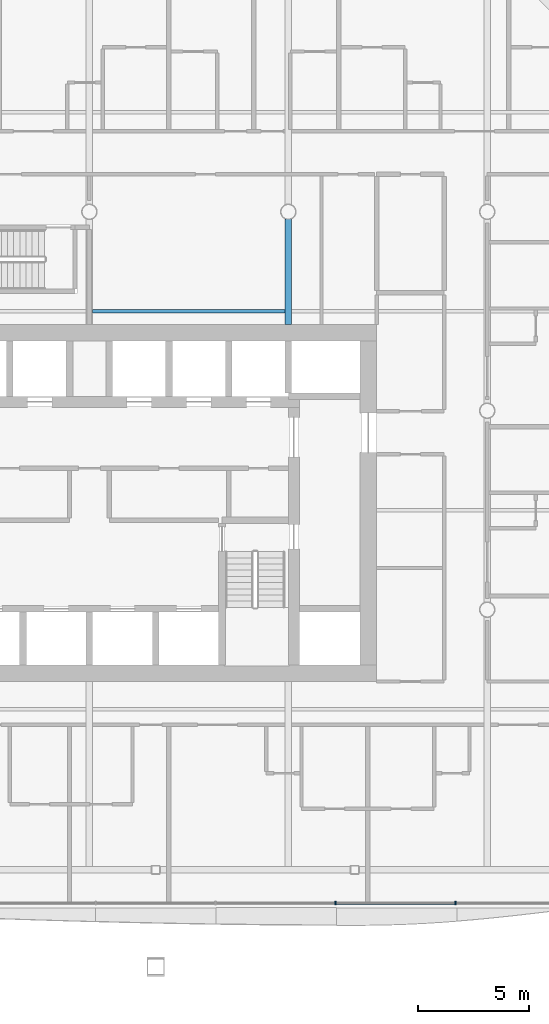
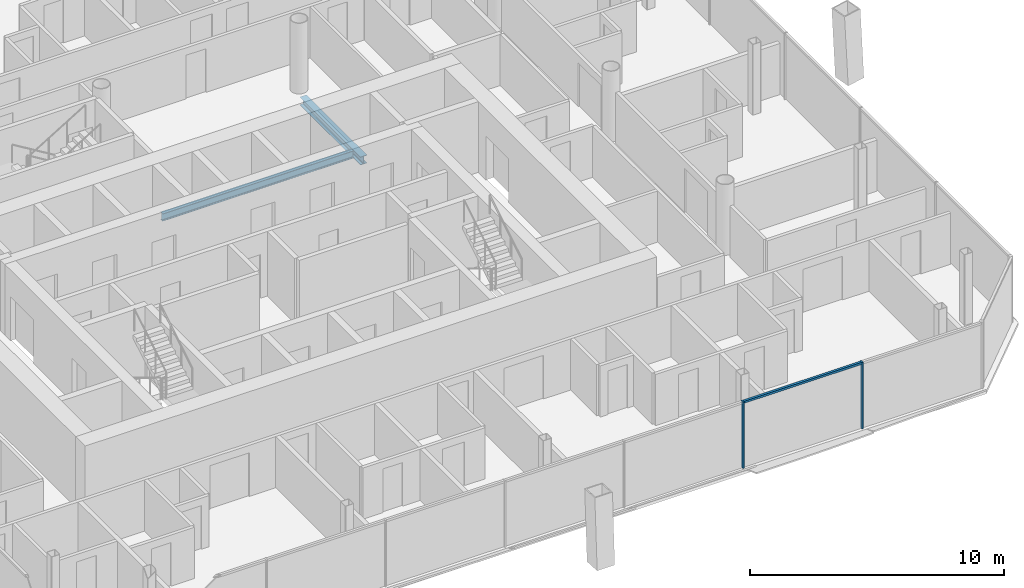
# One storey, part 6 of 18: 3 members, 2 beams, 1 element without a shape of its own.
"""IFC4 building model written with IfcOpenShell, lengths in metres."""

import ifcopenshell
import ifcopenshell.guid

model = None  # the IFC model being written
_history = None  # IfcOwnerHistory: only IFC2X3 demands one
_inside = {}  # id of a spatial element -> (the spatial element, [elements in it])
_under = {}  # id of a project, library or spatial element -> (it, [spatial elements below it])
_declared = {}  # id of a project -> (the project, [libraries it declares])
_typed = {}  # id of a type object -> (the type object, [elements of that type])
_made_of = {}  # id of a material, layer set ... -> (it, [elements and type objects made of it])


def new_model(schema):
    """Start an empty IFC model of exactly this schema.

    Asked for "IFC4X3", IfcOpenShell would pick the latest addendum, in which some entities
    have other attributes; the version numbers below select the first issue.
    IFC2X3 requires an IfcOwnerHistory on every rooted entity: one is made here for all.
    """
    global model, _history
    if schema == "IFC4X3":
        model = ifcopenshell.file(schema_version=(4, 3, 0, 0))
    else:
        model = ifcopenshell.file(schema=schema)
    _inside.clear()
    _under.clear()
    _declared.clear()
    _typed.clear()
    _made_of.clear()
    _history = None
    if model.schema == "IFC2X3":
        org = make("IfcOrganization", Name="unknown")
        user = make(
            "IfcPersonAndOrganization",
            ThePerson=make("IfcPerson", FamilyName="unknown"),
            TheOrganization=org,
        )
        app = make(
            "IfcApplication",
            ApplicationDeveloper=org,
            Version="unknown",
            ApplicationFullName="unknown",
            ApplicationIdentifier="unknown",
        )
        _history = make(
            "IfcOwnerHistory",
            OwningUser=user,
            OwningApplication=app,
            ChangeAction="ADDED",
            CreationDate=0,
        )
    return model


def make(cls, **values):
    """One entity of the class cls with the attributes given. An attribute that is None is left unset."""
    return model.create_entity(
        cls, **{name: value for name, value in values.items() if value is not None}
    )


def rooted(cls, **values):
    """An entity with a GlobalId (a new one), such as an element, a storey or a relation."""
    return make(cls, GlobalId=ifcopenshell.guid.new(), OwnerHistory=_history, **values)


def si_unit(unit_type, name, prefix=None):
    """IfcSIUnit, for example si_unit("LENGTHUNIT", "METRE", prefix="MILLI")."""
    return make("IfcSIUnit", UnitType=unit_type, Prefix=prefix, Name=name)


def assignment(units):
    """IfcUnitAssignment: the units of a project."""
    return None if units is None else make("IfcUnitAssignment", Units=units)


def point(xyz):
    """IfcCartesianPoint."""
    return None if xyz is None else make("IfcCartesianPoint", Coordinates=xyz)


def direction(xyz):
    """IfcDirection."""
    return None if xyz is None else make("IfcDirection", DirectionRatios=xyz)


def frame(location, z_axis=None, x_axis=None):
    """IfcAxis2Placement3D, a coordinate frame: its origin and axes. An axis left out is left unset."""
    return make(
        "IfcAxis2Placement3D",
        Location=point(location),
        Axis=direction(z_axis),
        RefDirection=direction(x_axis),
    )


def frame_2d(location, x_axis=None):
    """IfcAxis2Placement2D, a coordinate frame in the plane: its origin and x axis."""
    return make(
        "IfcAxis2Placement2D", Location=point(location), RefDirection=direction(x_axis)
    )


def origin():
    """The frame at (0, 0, 0) with its axes left unset."""
    return frame((0.0, 0.0, 0.0))


def origin_2d():
    """The frame at (0, 0) in the plane with its x axis left unset."""
    return frame_2d((0.0, 0.0))


def place(relative_to, where):
    """IfcLocalPlacement: puts the frame where relative to a parent placement (None: the world)."""
    return make(
        "IfcLocalPlacement", PlacementRelTo=relative_to, RelativePlacement=where
    )


def context(
    kind, dimensions, precision=None, world=None, true_north=None, identifier=None
):
    """IfcGeometricRepresentationContext, for example the 3D "Model" context."""
    return make(
        "IfcGeometricRepresentationContext",
        ContextIdentifier=identifier,
        ContextType=kind,
        CoordinateSpaceDimension=dimensions,
        Precision=precision,
        WorldCoordinateSystem=world,
        TrueNorth=true_north,
    )


def subcontext(parent, identifier, kind, view, scale=None):
    """IfcGeometricRepresentationSubContext, for example "Body" below "Model"."""
    return make(
        "IfcGeometricRepresentationSubContext",
        ContextIdentifier=identifier,
        ContextType=kind,
        ParentContext=parent,
        TargetScale=scale,
        TargetView=view,
    )


def project(units=None, contexts=None):
    """IfcProject with its units and contexts."""
    return rooted(
        "IfcProject",
        Name="project",
        RepresentationContexts=contexts,
        UnitsInContext=assignment(units),
    )


def spatial(cls, under=None, at=None, **own):
    """A site, building, storey or space (cls), placed at a placement, below another one or the project."""
    s = rooted(cls, ObjectPlacement=at, **own)
    if under is not None:
        _under.setdefault(under.id(), (under, []))[1].append(s)
    return s


def profile(cls, at=None, kind="AREA", **sizes):
    """A parametric profile (cls). Its sizes go by their IFC names, for example OverallWidth=200.0."""
    return make(cls, ProfileType=kind, Position=at, **sizes)


def rectangle(**sizes):
    """IfcRectangleProfileDef."""
    return profile("IfcRectangleProfileDef", **sizes)


def i_section(**sizes):
    """IfcIShapeProfileDef."""
    return profile("IfcIShapeProfileDef", **sizes)


def extrude(swept, where, along, depth):
    """IfcExtrudedAreaSolid: the profile swept, set in the frame where, extruded along a direction by depth."""
    return make(
        "IfcExtrudedAreaSolid",
        SweptArea=swept,
        Position=where,
        ExtrudedDirection=direction(along),
        Depth=depth,
    )


def shape(context_of_items, identifier, shape_type, items):
    """IfcShapeRepresentation: the items that make up one representation, for example the "Body"."""
    return make(
        "IfcShapeRepresentation",
        ContextOfItems=context_of_items,
        RepresentationIdentifier=identifier,
        RepresentationType=shape_type,
        Items=items,
    )


def material(Name=None, Category=None):
    """IfcMaterial."""
    return make("IfcMaterial", Name=Name, Category=Category)


def material_profile(
    of_material, cross_section, Name=None, Category=None, Priority=None
):
    """IfcMaterialProfile: a cross section and its material."""
    return make(
        "IfcMaterialProfile",
        Name=Name,
        Material=of_material,
        Profile=cross_section,
        Priority=Priority,
        Category=Category,
    )


def profile_set(profiles, Name=None, composite=None):
    """IfcMaterialProfileSet."""
    return make(
        "IfcMaterialProfileSet",
        Name=Name,
        MaterialProfiles=profiles,
        CompositeProfile=composite,
    )


def made_of(thing, what):
    """Note that an element or type object is made of a material, layer set ...; save() writes the relation."""
    if what is not None:
        _made_of.setdefault(what.id(), (what, []))[1].append(thing)
    return thing


def type_object(cls, material=None, **own):
    """A type object (cls), such as IfcWallType, which elements share."""
    return made_of(rooted(cls, **own), material)


def element(
    cls,
    number,
    at=None,
    inside=None,
    cuts=None,
    type_object=None,
    material=None,
    context=None,
    identifier="Body",
    shape_type=None,
    held_by="IfcProductDefinitionShape",
    body=None,
    shapes=None,
    **own,
):
    """One element of the class cls, such as IfcWall. Its Tag is "e" and its number.

    at: its placement. inside: the storey or other place that contains it. cuts: it is an
    opening in that element (IfcRelVoidsElement). A single representation is given by context,
    identifier, shape_type and body (its items); several are given by shapes. held_by: the class
    of the entity that holds the representations. save() writes the other relations.
    """
    e = rooted(cls, Tag="e%d" % number, ObjectPlacement=at, **own)
    if body is not None:
        shapes = [shape(context, identifier, shape_type, body)]
    if shapes is not None:
        e.Representation = make(held_by, Representations=shapes)
    if inside is not None:
        _inside.setdefault(inside.id(), (inside, []))[1].append(e)
    if cuts is not None:
        rooted(
            "IfcRelVoidsElement", RelatingBuildingElement=cuts, RelatedOpeningElement=e
        )
    if type_object is not None:
        _typed.setdefault(type_object.id(), (type_object, []))[1].append(e)
    return made_of(e, material)


def aggregate(whole, parts):
    """IfcRelAggregates: a whole, such as a stair, and the parts it consists of."""
    return rooted("IfcRelAggregates", RelatingObject=whole, RelatedObjects=parts)


def save(model, path):
    """Write the relations noted so far, then the file.

    IfcRelAggregates (storeys below a building ...), IfcRelContainedInSpatialStructure (elements
    in a storey), IfcRelDefinesByType, IfcRelAssociatesMaterial and IfcRelDeclares: one each for
    every whole, place, type object, material and project.
    """
    for whole, parts in _under.values():
        aggregate(whole, parts)
    for where, things in _inside.values():
        rooted(
            "IfcRelContainedInSpatialStructure",
            RelatedElements=things,
            RelatingStructure=where,
        )
    for kind, things in _typed.values():
        rooted("IfcRelDefinesByType", RelatedObjects=things, RelatingType=kind)
    for what, things in _made_of.values():
        rooted("IfcRelAssociatesMaterial", RelatedObjects=things, RelatingMaterial=what)
    for by, libraries in _declared.values():
        rooted("IfcRelDeclares", RelatingContext=by, RelatedDefinitions=libraries)
    model.write(path)


model = new_model("IFC4")

# Units and contexts
model_context = context("Model", 3, precision=1e-05, world=origin(), true_north=direction((0.0, 1.0)))
body_context = subcontext(model_context, "Body", "Model", "MODEL_VIEW")
ifc_project = project(units=[si_unit("LENGTHUNIT", "METRE"), si_unit("AREAUNIT", "SQUARE_METRE"), si_unit("VOLUMEUNIT", "CUBIC_METRE"), si_unit("PLANEANGLEUNIT", "RADIAN"), si_unit("MASSUNIT", "GRAM", prefix="KILO")], contexts=[model_context])

# Site, building, storey
site_placement = place(None, origin())
site = spatial("IfcSite", under=ifc_project, at=site_placement, CompositionType="ELEMENT")
building_placement = place(site_placement, origin())
building = spatial("IfcBuilding", under=site, at=building_placement, Name="Tskaro Facet Tower", CompositionType="ELEMENT")
storey_placement = place(building_placement, frame((0.0, 0.0, 145.300048828125)))
storey = spatial("IfcBuildingStorey", under=building, at=storey_placement, Name="L35", CompositionType="ELEMENT", Elevation=145.300048828125)

# Curtain wall, members
ifc_material_1 = material(Name="Bronze anodised aluminium 6063-T6", Category="aluminium")
curtain_wall_type = type_object("IfcCurtainWallType", Name="Bronze hotel curtain wall (FW2)", PredefinedType="NOTDEFINED", material=ifc_material_1)
curtain_wall_placement = place(storey_placement, origin())
curtain_wall = element("IfcCurtainWall", 1, at=curtain_wall_placement, inside=storey, type_object=curtain_wall_type, Name="FW2 south facet L35", PredefinedType="NOTDEFINED")
ifc_material_profile_1 = material_profile(ifc_material_1, rectangle(XDim=0.06005859375, YDim=0.14990234375, at=origin_2d()), Name="Mullion 60x150")
ifc_profile_set_1 = profile_set([ifc_material_profile_1], Name="Bronze anodised aluminium 6063-T6")
member_type_1 = type_object("IfcMemberType", Name="FW2 bronze mullion 60x150", PredefinedType="MULLION", material=ifc_profile_set_1)
member_1_placement = place(storey_placement, frame((11.135498046875, -22.27197265625, 0.0), z_axis=(0.0, 0.0, 1.0), x_axis=(1.0, 0.0, 0.0)))
member_1 = element("IfcMember", 2, at=member_1_placement, type_object=member_type_1, Name="FW2 south mullion 5", PredefinedType="MULLION", context=body_context, shape_type="SweptSolid", body=[
    extrude(rectangle(XDim=0.06005859375, YDim=0.14990234375, at=origin_2d()), origin(), (0.0, 0.0, 1.0), 3.199951171875),
])
member_2_placement = place(storey_placement, frame((16.559326171875, -22.27197265625, 0.0), z_axis=(0.0, 0.0, 1.0), x_axis=(1.0, 0.0, 0.0)))
member_2 = element("IfcMember", 3, at=member_2_placement, type_object=member_type_1, Name="FW2 south mullion 6", PredefinedType="MULLION", context=body_context, shape_type="SweptSolid", body=[
    extrude(rectangle(XDim=0.06005859375, YDim=0.14990234375, at=origin_2d()), origin(), (0.0, 0.0, 1.0), 3.199951171875),
])
ifc_material_profile_2 = material_profile(ifc_material_1, rectangle(XDim=0.110107421875, YDim=0.10009765625, at=origin_2d()), Name="Transom 110x100")
ifc_profile_set_2 = profile_set([ifc_material_profile_2], Name="Bronze anodised aluminium 6063-T6")
member_type_2 = type_object("IfcMemberType", Name="FW2 bronze transom 110x100", PredefinedType="USERDEFINED", material=ifc_profile_set_2)
member_3_placement = place(storey_placement, frame((11.16552734375, -22.27197265625, 3.14990234375), z_axis=(1.0, 0.0, 0.0), x_axis=(0.0, 1.0, 0.0)))
member_3 = element("IfcMember", 4, at=member_3_placement, type_object=member_type_2, Name="FW2 south transom 6.1", ObjectType="TRANSOM", PredefinedType="USERDEFINED", context=body_context, shape_type="SweptSolid", body=[
    extrude(rectangle(XDim=0.110107421875, YDim=0.10009765625, at=origin_2d()), origin(), (0.0, 0.0, 1.0), 5.36376953125),
])
aggregate(curtain_wall, [member_1, member_2, member_3])

# Beams
ifc_material_2 = material(Name="Steel S355J2", Category="steel")
ifc_material_profile_3 = material_profile(ifc_material_2, i_section(OverallWidth=0.300048828125, OverallDepth=0.389892578125, WebThickness=0.010986328125, FlangeThickness=0.01904296875, FilletRadius=0.027099609375, at=origin_2d()), Name="HE 400 A")
ifc_profile_set_3 = profile_set([ifc_material_profile_3], Name="Steel S355J2")
beam_type_1 = type_object("IfcBeamType", Name="HE 400 A girder", PredefinedType="BEAM", material=ifc_profile_set_3)
beam_1_placement = place(storey_placement, frame((9.0, 3.89990234375, -0.3349609375), z_axis=(0.0, 1.0, 0.0), x_axis=(-1.0, 0.0, 0.0)))
element("IfcBeam", 5, at=beam_1_placement, inside=storey, type_object=beam_type_1, Name="HE 400 A GB5-2-3", PredefinedType="BEAM", context=body_context, shape_type="SweptSolid", body=[
    extrude(i_section(OverallWidth=0.300048828125, OverallDepth=0.389892578125, WebThickness=0.010986328125, FlangeThickness=0.01904296875, FilletRadius=0.027099609375, at=origin_2d()), origin(), (0.0, 0.0, 1.0), 4.774658203125),
])
ifc_material_profile_4 = material_profile(ifc_material_2, i_section(OverallWidth=0.169921875, OverallDepth=0.360107421875, WebThickness=0.008056640625, FlangeThickness=0.0126953125, FilletRadius=0.01806640625, at=origin_2d()), Name="IPE 360")
ifc_profile_set_4 = profile_set([ifc_material_profile_4], Name="Steel S355J2")
beam_type_2 = type_object("IfcBeamType", Name="IPE 360 secondary beam", PredefinedType="BEAM", material=ifc_profile_set_4)
beam_2_placement = place(storey_placement, frame((0.14990234375, 4.5, -0.320068359375), z_axis=(1.0, 0.0, 0.0), x_axis=(0.0, 1.0, 0.0)))
element("IfcBeam", 6, at=beam_2_placement, inside=storey, type_object=beam_type_2, Name="IPE 360 SB4a-3-3", PredefinedType="BEAM", context=body_context, shape_type="SweptSolid", body=[
    extrude(i_section(OverallWidth=0.169921875, OverallDepth=0.360107421875, WebThickness=0.008056640625, FlangeThickness=0.0126953125, FilletRadius=0.01806640625, at=origin_2d()), origin(), (0.0, 0.0, 1.0), 8.7001953125),
])

save(model, "model.ifc")
